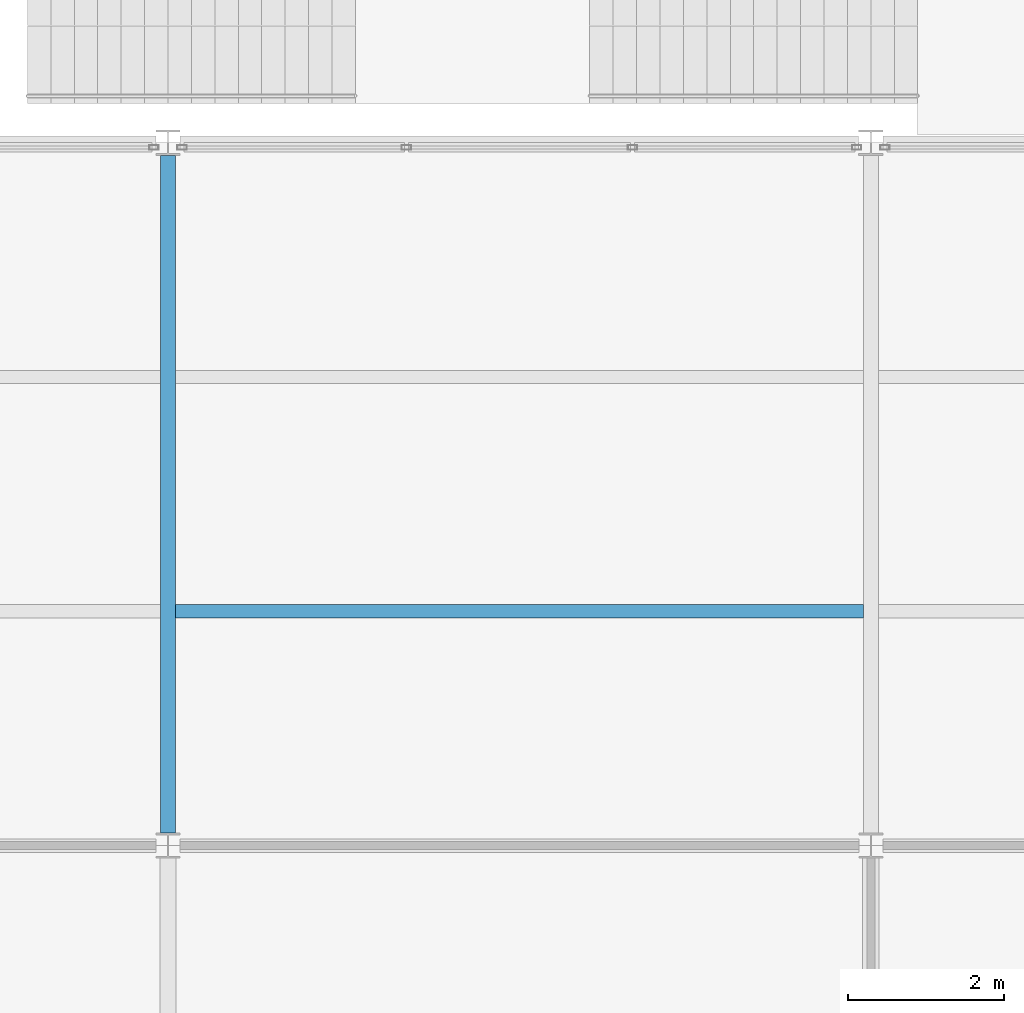
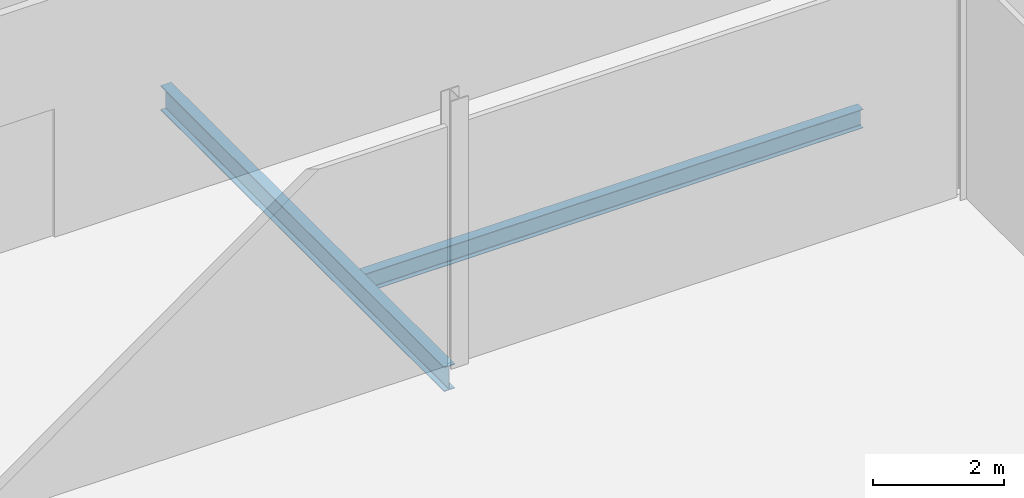
# One storey, part 25 of 112: 2 beams.
"""IFC4 building model written with IfcOpenShell, lengths in metres."""

from ifc_helpers import new_model, si_unit, direction, frame, origin, origin_2d, place, context, subcontext, project, spatial, i_section, extrude, material, material_profile, profile_set, type_object, element, save


model = new_model("IFC4")

# Units and contexts
model_context = context("Model", 3, precision=1e-05, world=origin(), true_north=direction((0.0, 1.0)))
body_context = subcontext(model_context, "Body", "Model", "MODEL_VIEW")
ifc_project = project(units=[si_unit("LENGTHUNIT", "METRE"), si_unit("AREAUNIT", "SQUARE_METRE"), si_unit("VOLUMEUNIT", "CUBIC_METRE"), si_unit("PLANEANGLEUNIT", "RADIAN"), si_unit("MASSUNIT", "GRAM", prefix="KILO")], contexts=[model_context])

# Site, building, storey
site_placement = place(None, origin())
site = spatial("IfcSite", under=ifc_project, at=site_placement, CompositionType="ELEMENT")
building_placement = place(site_placement, origin())
building = spatial("IfcBuilding", under=site, at=building_placement, Name="Shorebreak Coast Museum", CompositionType="ELEMENT")
storey_placement = place(building_placement, frame((0.0, 0.0, 6.0)))
storey = spatial("IfcBuildingStorey", under=building, at=storey_placement, Name="L01", CompositionType="ELEMENT", Elevation=6.0)

# Beams
ifc_material_1 = material(Name="Steel Grade 300", Category="steel")
ifc_material_profile_1 = material_profile(ifc_material_1, i_section(OverallWidth=0.19091796875, OverallDepth=0.46044921875, WebThickness=0.010009765625, FlangeThickness=0.01611328125, FilletRadius=0.011474609375, at=origin_2d()), Name="460UB82.1")
ifc_profile_set_1 = profile_set([ifc_material_profile_1], Name="Steel Grade 300")
beam_type_1 = type_object("IfcBeamType", Name="Floor girder north-south 460UB82.1", PredefinedType="BEAM", material=ifc_profile_set_1)
beam_1_placement = place(storey_placement, frame((90.0, 54.160400390625, -0.4052734375), z_axis=(0.0, 1.0, 0.0), x_axis=(-1.0, 0.0, 0.0)))
element("IfcBeam", 1, at=beam_1_placement, inside=storey, type_object=beam_type_1, Name="Floor girder north-south L01 11G", PredefinedType="BEAM", context=body_context, shape_type="SweptSolid", body=[
    extrude(i_section(OverallWidth=0.19091796875, OverallDepth=0.46044921875, WebThickness=0.010009765625, FlangeThickness=0.01611328125, FilletRadius=0.011474609375, at=origin_2d()), origin(), (0.0, 0.0, 1.0), 8.676025390625),
])
ifc_material_2 = material(Name="Steel Grade 300", Category="steel")
ifc_material_profile_2 = material_profile(ifc_material_2, i_section(OverallWidth=0.1708984375, OverallDepth=0.35205078125, WebThickness=0.0068359375, FlangeThickness=0.009765625, FilletRadius=0.011474609375, at=origin_2d()), Name="360UB44.7")
ifc_profile_set_2 = profile_set([ifc_material_profile_2], Name="Steel Grade 300")
beam_type_2 = type_object("IfcBeamType", Name="Floor joist 360UB44.7", PredefinedType="JOIST", material=ifc_profile_set_2)
beam_2_placement = place(storey_placement, frame((90.095458984375, 57.0, -0.35107421875), z_axis=(1.0, 0.0, 0.0), x_axis=(0.0, 1.0, 0.0)))
element("IfcBeam", 2, at=beam_2_placement, inside=storey, type_object=beam_type_2, Name="Floor joist L01 bay 11G at 3000 mm", PredefinedType="JOIST", context=body_context, shape_type="SweptSolid", body=[
    extrude(i_section(OverallWidth=0.1708984375, OverallDepth=0.35205078125, WebThickness=0.0068359375, FlangeThickness=0.009765625, FilletRadius=0.011474609375, at=origin_2d()), origin(), (0.0, 0.0, 1.0), 8.80908203125),
])

save(model, "model.ifc")
